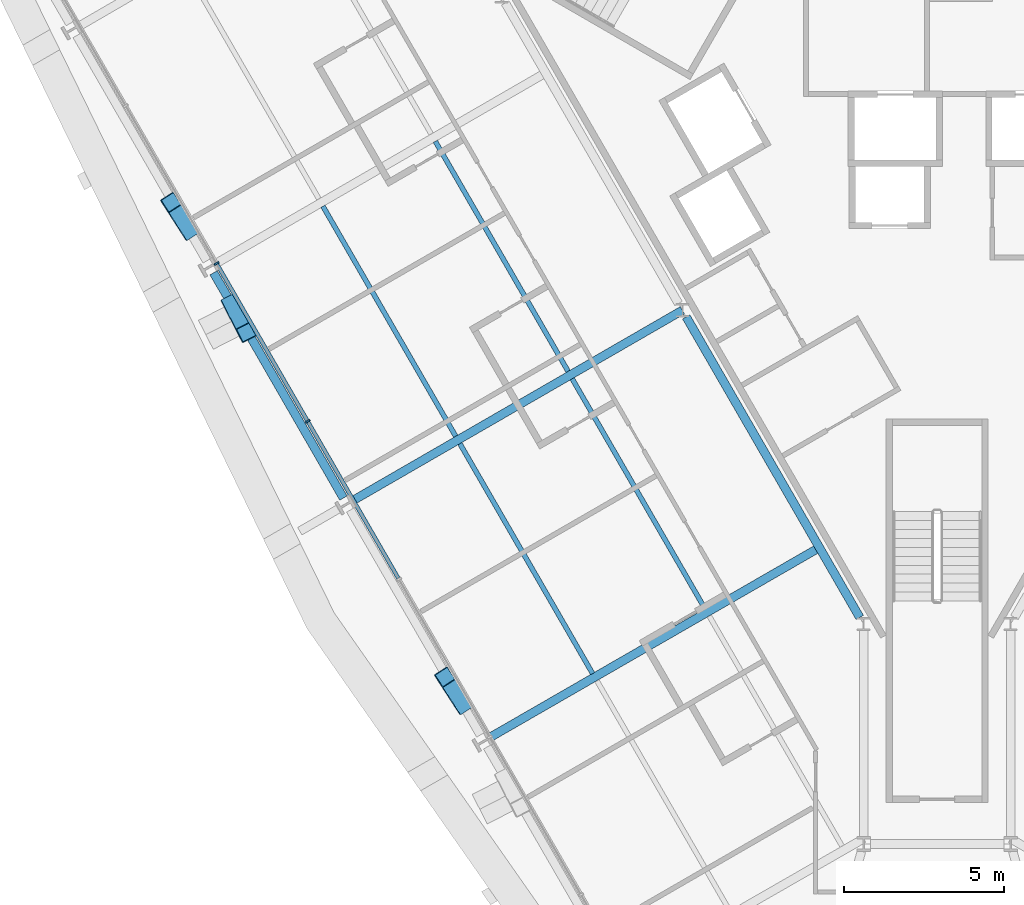
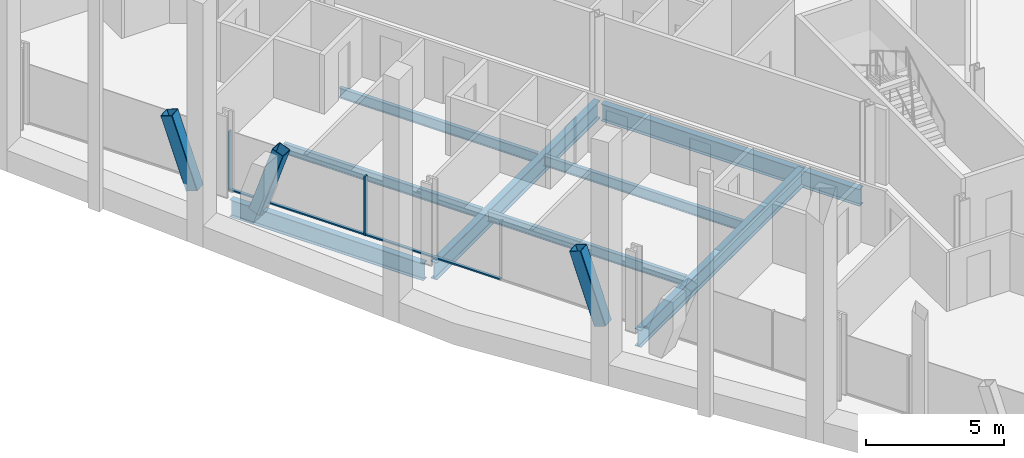
# One storey, part 4 of 21: 8 beams, 7 members, 1 element without a shape of its own.
"""IFC4 building model written with IfcOpenShell, lengths in metres."""

from ifc_helpers import new_model, si_unit, direction, frame, origin, origin_2d, place, context, subcontext, project, spatial, rectangle, hollow_rectangle, i_section, extrude, material, material_profile, profile_set, type_object, element, aggregate, save


model = new_model("IFC4")

# Units and contexts
model_context = context("Model", 3, precision=1e-05, world=origin(), true_north=direction((0.0, 1.0)))
body_context = subcontext(model_context, "Body", "Model", "MODEL_VIEW")
ifc_project = project(units=[si_unit("LENGTHUNIT", "METRE"), si_unit("AREAUNIT", "SQUARE_METRE"), si_unit("VOLUMEUNIT", "CUBIC_METRE"), si_unit("PLANEANGLEUNIT", "RADIAN"), si_unit("MASSUNIT", "GRAM", prefix="KILO")], contexts=[model_context])

# Site, building, storey
site_placement = place(None, origin())
site = spatial("IfcSite", under=ifc_project, at=site_placement, CompositionType="ELEMENT")
building_placement = place(site_placement, origin())
building = spatial("IfcBuilding", under=site, at=building_placement, Name="Verrane Prism Tower", CompositionType="ELEMENT")
storey_placement = place(building_placement, frame((0.0, 0.0, 65.60009765625)))
storey = spatial("IfcBuildingStorey", under=building, at=storey_placement, Name="L14", CompositionType="ELEMENT", Elevation=65.60009765625)

# Beam
ifc_material_1 = material(Name="Steel A992", Category="steel")
ifc_material_profile_1 = material_profile(ifc_material_1, i_section(OverallWidth=0.2666015625, OverallDepth=0.7568359375, WebThickness=0.013916015625, FlangeThickness=0.019287109375, FilletRadius=0.0166015625, at=origin_2d()), Name="W30x108")
ifc_profile_set_1 = profile_set([ifc_material_profile_1], Name="Steel A992")
beam_type_1 = type_object("IfcBeamType", Name="Core ring girder W30x108", PredefinedType="BEAM", material=ifc_profile_set_1)
beam_1_placement = place(storey_placement, frame((-7.849609375, -4.808349609375, -0.628662109375), z_axis=(0.500013103396, -0.866017838403, 0.0), x_axis=(0.866017838403, 0.500013103396, 0.0)))
element("IfcBeam", 1, at=beam_1_placement, inside=storey, type_object=beam_type_1, Name="Core ring girder L14", PredefinedType="BEAM", context=body_context, shape_type="SweptSolid", body=[
    extrude(i_section(OverallWidth=0.2666015625, OverallDepth=0.7568359375, WebThickness=0.013916015625, FlangeThickness=0.019287109375, FilletRadius=0.0166015625, at=origin_2d()), origin(), (0.0, 0.0, 1.0), 10.858154296875),
])

# Members
ifc_material_2 = material(Name="Steel A1085 Grade A", Category="steel")
ifc_material_profile_2 = material_profile(ifc_material_2, hollow_rectangle(XDim=0.508056640625, YDim=0.508056640625, WallThickness=0.025390625, InnerFilletRadius=0.0126953125, OuterFilletRadius=0.0380859375, at=origin_2d()), Name="HSS20x20x1")
ifc_profile_set_2 = profile_set([ifc_material_profile_2], Name="Steel A1085 Grade A")
member_type_1 = type_object("IfcMemberType", Name="Facade brace HSS20x20x1", PredefinedType="BRACE", material=ifc_profile_set_2)
member_1_placement = place(storey_placement, frame((-23.4052734375, -2.0947265625, -0.24267578125), z_axis=(-0.175918733474, 0.273395518602, 0.945678322487), x_axis=(-0.84094827656, -0.541115510914, 0.0)))
element("IfcMember", 2, at=member_1_placement, inside=storey, type_object=member_type_1, Name="Facade brace SW1 L14", PredefinedType="BRACE", context=body_context, shape_type="SweptSolid", body=[
    extrude(hollow_rectangle(XDim=0.508056640625, YDim=0.508056640625, WallThickness=0.025390625, InnerFilletRadius=0.0126953125, OuterFilletRadius=0.0380859375, at=origin_2d()), origin(), (0.0, 0.0, 1.0), 3.180908203125),
])
member_2_placement = place(storey_placement, frame((-22.081787109375, -4.389892578125, -0.24267578125), z_axis=(0.146294877582, -0.285363418595, 0.947188222119), x_axis=(0.889874860998, 0.456204703793, 0.0)))
element("IfcMember", 3, at=member_2_placement, inside=storey, type_object=member_type_1, Name="Facade brace SW2 L14", PredefinedType="BRACE", context=body_context, shape_type="SweptSolid", body=[
    extrude(hollow_rectangle(XDim=0.508056640625, YDim=0.508056640625, WallThickness=0.025390625, InnerFilletRadius=0.0126953125, OuterFilletRadius=0.0380859375, at=origin_2d()), origin(), (0.0, 0.0, 1.0), 3.17578125),
])
member_3_placement = place(storey_placement, frame((-14.84326171875, -16.930908203125, -0.24267578125), z_axis=(-0.173985213801, 0.269088929873, 0.947269915704), x_axis=(-0.839756785224, -0.542962744275, 0.0)))
element("IfcMember", 4, at=member_3_placement, inside=storey, type_object=member_type_1, Name="Facade brace SW3 L14", PredefinedType="BRACE", context=body_context, shape_type="SweptSolid", body=[
    extrude(hollow_rectangle(XDim=0.508056640625, YDim=0.508056640625, WallThickness=0.025390625, InnerFilletRadius=0.0126953125, OuterFilletRadius=0.0380859375, at=origin_2d()), origin(), (0.0, 0.0, 1.0), 3.175537109375),
])

# Beams
ifc_material_3 = material(Name="Steel A992", Category="steel")
ifc_material_profile_3 = material_profile(ifc_material_3, i_section(OverallWidth=0.15234375, OverallDepth=0.449462890625, WebThickness=0.007568359375, FlangeThickness=0.0107421875, FilletRadius=0.01025390625, at=origin_2d()), Name="W18x35")
ifc_profile_set_3 = profile_set([ifc_material_profile_3], Name="Steel A992")
beam_type_2 = type_object("IfcBeamType", Name="Floor beam W18x35", PredefinedType="BEAM", material=ifc_profile_set_3)
beam_2_placement = place(storey_placement, frame((-11.545166015625, -6.51171875, -0.385009765625), z_axis=(-0.499988705844, 0.86603192437, 0.0), x_axis=(-0.86603192437, -0.499988705844, 0.0)))
element("IfcBeam", 5, at=beam_2_placement, inside=storey, type_object=beam_type_2, Name="Floor beam L14", PredefinedType="BEAM", context=body_context, shape_type="SweptSolid", body=[
    extrude(i_section(OverallWidth=0.15234375, OverallDepth=0.449462890625, WebThickness=0.007568359375, FlangeThickness=0.0107421875, FilletRadius=0.01025390625, at=origin_2d()), origin(), (0.0, 0.0, 1.0), 8.307861328125),
])
beam_3_placement = place(storey_placement, frame((-15.06103515625, -8.54296875, -0.385009765625), z_axis=(-0.500001430823, 0.866024577697, 0.0), x_axis=(-0.866024577697, -0.500001430823, 0.0)))
element("IfcBeam", 6, at=beam_3_placement, inside=storey, type_object=beam_type_2, Name="Floor beam L14", PredefinedType="BEAM", context=body_context, shape_type="SweptSolid", body=[
    extrude(i_section(OverallWidth=0.15234375, OverallDepth=0.449462890625, WebThickness=0.007568359375, FlangeThickness=0.0107421875, FilletRadius=0.01025390625, at=origin_2d()), origin(), (0.0, 0.0, 1.0), 8.3076171875),
])
beam_4_placement = place(storey_placement, frame((-7.26171875, -13.94189453125, -0.385009765625), z_axis=(-0.500000517071, 0.866025105253, 0.0), x_axis=(-0.866025105253, -0.500000517071, 0.0)))
element("IfcBeam", 7, at=beam_4_placement, inside=storey, type_object=beam_type_2, Name="Floor beam L14", PredefinedType="BEAM", context=body_context, shape_type="SweptSolid", body=[
    extrude(i_section(OverallWidth=0.15234375, OverallDepth=0.449462890625, WebThickness=0.007568359375, FlangeThickness=0.0107421875, FilletRadius=0.01025390625, at=origin_2d()), origin(), (0.0, 0.0, 1.0), 8.3095703125),
])
beam_5_placement = place(storey_placement, frame((-10.7763671875, -15.969482421875, -0.385009765625), z_axis=(-0.499995524547, 0.866027987673, 0.0), x_axis=(-0.866027987673, -0.499995524547, 0.0)))
element("IfcBeam", 8, at=beam_5_placement, inside=storey, type_object=beam_type_2, Name="Floor beam L14", PredefinedType="BEAM", context=body_context, shape_type="SweptSolid", body=[
    extrude(i_section(OverallWidth=0.15234375, OverallDepth=0.449462890625, WebThickness=0.007568359375, FlangeThickness=0.0107421875, FilletRadius=0.01025390625, at=origin_2d()), origin(), (0.0, 0.0, 1.0), 8.306640625),
])

# Curtain wall, members
ifc_material_4 = material(Name="Aluminium framed insulated glazing", Category="aluminium")
curtain_wall_type = type_object("IfcCurtainWallType", Name="Curtain wall CW-B 5600 module", PredefinedType="NOTDEFINED", material=ifc_material_4)
curtain_wall_placement = place(storey_placement, origin())
curtain_wall = element("IfcCurtainWall", 9, at=curtain_wall_placement, inside=storey, type_object=curtain_wall_type, Name="Glazed curtain wall south-west face L14", PredefinedType="NOTDEFINED")
ifc_material_5 = material(Name="Aluminium alloy 6063-T6", Category="aluminium")
ifc_material_profile_4 = material_profile(ifc_material_5, rectangle(XDim=0.159912109375, YDim=0.06005859375, at=origin_2d()), Name="Mullion 60x160 aluminium")
ifc_profile_set_4 = profile_set([ifc_material_profile_4], Name="Aluminium alloy 6063-T6")
member_type_2 = type_object("IfcMemberType", Name="Mullion 60x160 aluminium", PredefinedType="MULLION", material=ifc_profile_set_4)
member_4_placement = place(storey_placement, frame((-22.5400390625, -3.141357421875, 0.0), z_axis=(0.0, 0.0, 1.0), x_axis=(0.866025283147, 0.50000020895, 0.0)))
member_4 = element("IfcMember", 10, at=member_4_placement, type_object=member_type_2, Name="CW14.4 mullion 4", PredefinedType="MULLION", context=body_context, shape_type="SweptSolid", body=[
    extrude(rectangle(XDim=0.159912109375, YDim=0.06005859375, at=origin_2d()), origin(), (0.0, 0.0, 1.0), 2.61279296875),
])
member_5_placement = place(storey_placement, frame((-19.690185546875, -8.077392578125, 0.0), z_axis=(0.0, 0.0, 1.0), x_axis=(0.866025283147, 0.50000020895, 0.0)))
member_5 = element("IfcMember", 11, at=member_5_placement, type_object=member_type_2, Name="CW14.4 mullion 5", PredefinedType="MULLION", context=body_context, shape_type="SweptSolid", body=[
    extrude(rectangle(XDim=0.159912109375, YDim=0.06005859375, at=origin_2d()), origin(), (0.0, 0.0, 1.0), 2.61279296875),
])

# Beams
ifc_material_6 = material(Name="Steel A992", Category="steel")
ifc_material_profile_5 = material_profile(ifc_material_6, i_section(OverallWidth=0.2666015625, OverallDepth=0.76708984375, WebThickness=0.014892578125, FlangeThickness=0.023681640625, FilletRadius=0.0166015625, at=origin_2d()), Name="W30x124")
ifc_profile_set_5 = profile_set([ifc_material_profile_5], Name="Steel A992")
beam_type_3 = type_object("IfcBeamType", Name="Radial girder W30x124", PredefinedType="BEAM", material=ifc_profile_set_5)
beam_6_placement = place(storey_placement, frame((-18.25048828125, -10.540283203125, -0.603515625), z_axis=(0.866018826434, 0.500011392132, 0.0), x_axis=(-0.500011392132, 0.866018826434, 0.0)))
element("IfcBeam", 12, at=beam_6_placement, inside=storey, type_object=beam_type_3, Name="Radial girder L14", PredefinedType="BEAM", context=body_context, shape_type="SweptSolid", body=[
    extrude(i_section(OverallWidth=0.2666015625, OverallDepth=0.76708984375, WebThickness=0.014892578125, FlangeThickness=0.023681640625, FilletRadius=0.0166015625, at=origin_2d()), origin(), (0.0, 0.0, 1.0), 11.873291015625),
])
beam_7_placement = place(storey_placement, frame((-13.96533203125, -17.951904296875, -0.603515625), z_axis=(0.866420764086, 0.499314589773, 0.0), x_axis=(-0.499314589773, 0.866420764086, 0.0)))
element("IfcBeam", 13, at=beam_7_placement, inside=storey, type_object=beam_type_3, Name="Radial girder L14", PredefinedType="BEAM", context=body_context, shape_type="SweptSolid", body=[
    extrude(i_section(OverallWidth=0.2666015625, OverallDepth=0.76708984375, WebThickness=0.014892578125, FlangeThickness=0.023681640625, FilletRadius=0.0166015625, at=origin_2d()), origin(), (0.0, 0.0, 1.0), 11.868408203125),
])
ifc_material_7 = material(Name="Steel A992", Category="steel")
ifc_material_profile_6 = material_profile(ifc_material_7, i_section(OverallWidth=0.2666015625, OverallDepth=0.7568359375, WebThickness=0.013916015625, FlangeThickness=0.019287109375, FilletRadius=0.0166015625, at=origin_2d()), Name="W30x108")
ifc_profile_set_6 = profile_set([ifc_material_profile_6], Name="Steel A992")
beam_type_4 = type_object("IfcBeamType", Name="Spandrel beam W30x108", PredefinedType="SPANDREL", material=ifc_profile_set_6)
beam_8_placement = place(storey_placement, frame((-22.634765625, -3.43017578125, -0.53857421875), z_axis=(0.499284111064, -0.866438328122, 0.0), x_axis=(0.866438328122, 0.499284111064, 0.0)))
element("IfcBeam", 14, at=beam_8_placement, inside=storey, type_object=beam_type_4, Name="Spandrel beam L14", PredefinedType="SPANDREL", context=body_context, shape_type="SweptSolid", body=[
    extrude(i_section(OverallWidth=0.2666015625, OverallDepth=0.7568359375, WebThickness=0.013916015625, FlangeThickness=0.019287109375, FilletRadius=0.0166015625, at=origin_2d()), origin(), (0.0, 0.0, 1.0), 8.1337890625),
])

# Member
ifc_material_8 = material(Name="Aluminium alloy 6063-T6", Category="aluminium")
ifc_material_profile_7 = material_profile(ifc_material_8, rectangle(XDim=0.1201171875, YDim=0.06005859375, at=origin_2d()), Name="Transom 60x120 aluminium")
ifc_profile_set_7 = profile_set([ifc_material_profile_7], Name="Aluminium alloy 6063-T6")
member_type_3 = type_object("IfcMemberType", Name="Transom 60x120 aluminium", PredefinedType="USERDEFINED", material=ifc_profile_set_7)
member_6_placement = place(storey_placement, frame((-22.525146484375, -3.167236328125, 0.02978515625), z_axis=(0.499984757355, -0.866034203951, 0.0), x_axis=(0.866034203951, 0.499984757355, 0.0)))
member_6 = element("IfcMember", 15, at=member_6_placement, type_object=member_type_3, Name="CW14.4 transom 4", ObjectType="TRANSOM", PredefinedType="USERDEFINED", context=body_context, shape_type="SweptSolid", body=[
    extrude(rectangle(XDim=0.1201171875, YDim=0.06005859375, at=origin_2d()), origin(), (0.0, 0.0, 1.0), 5.639892578125),
])

member_7_placement = place(storey_placement, frame((-19.67529296875, -8.103515625, 0.02978515625), z_axis=(0.500003502126, -0.866023381821, 0.0), x_axis=(0.866023381821, 0.500003502126, 0.0)))
member_7 = element("IfcMember", 16, at=member_7_placement, type_object=member_type_3, Name="CW14.4 transom 5", ObjectType="TRANSOM", PredefinedType="USERDEFINED", context=body_context, shape_type="SweptSolid", body=[
    extrude(rectangle(XDim=0.1201171875, YDim=0.06005859375, at=origin_2d()), origin(), (0.0, 0.0, 1.0), 5.6396484375),
])

aggregate(curtain_wall, [member_4, member_5, member_6, member_7])

save(model, "model.ifc")
